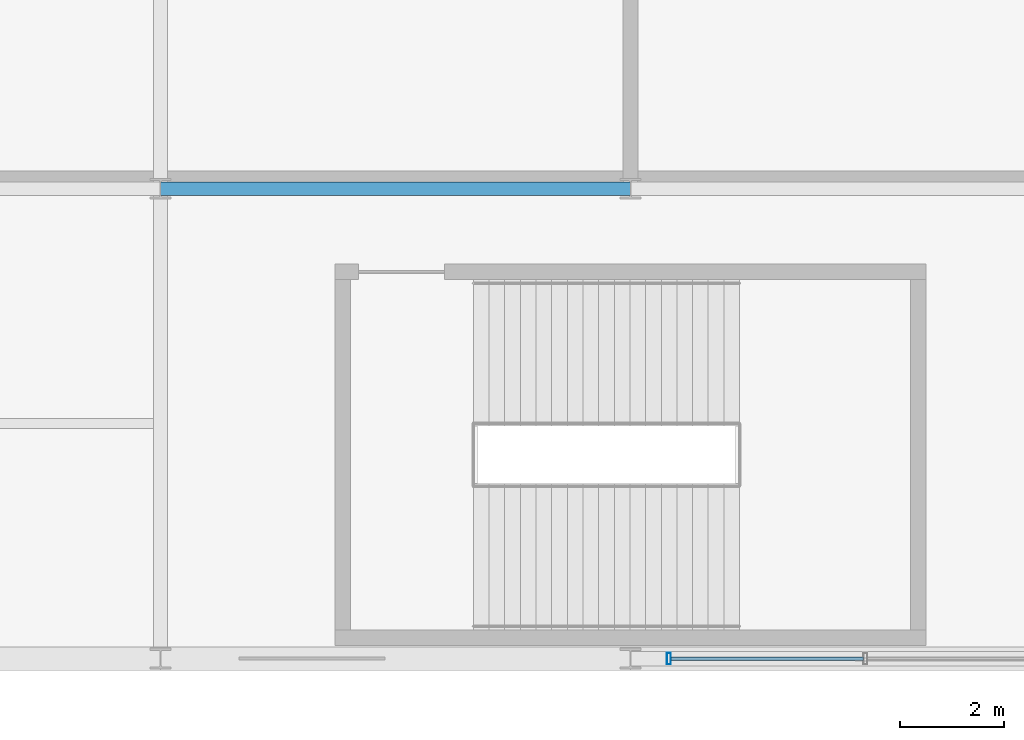
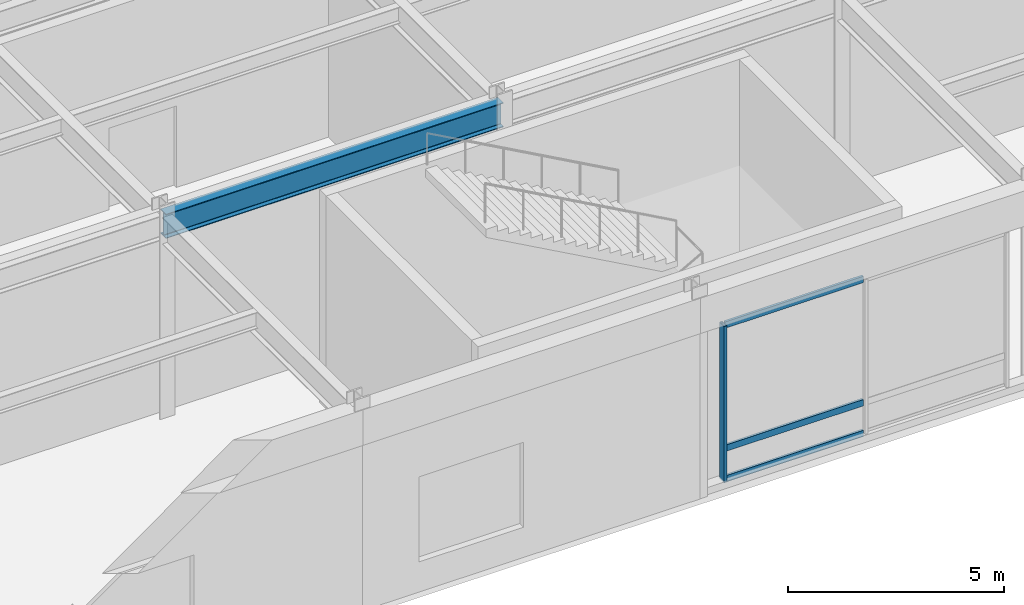
# One storey, part 36 of 105: 4 members, 1 beam, 1 element without a shape of its own.
"""IFC4 building model written with IfcOpenShell, lengths in metres."""

from ifc_helpers import new_model, si_unit, direction, frame, origin, origin_2d, place, context, subcontext, project, spatial, hollow_rectangle, i_section, extrude, material, material_profile, profile_set, type_object, element, aggregate, save


model = new_model("IFC4")

# Units and contexts
model_context = context("Model", 3, precision=1e-05, world=origin(), true_north=direction((0.0, 1.0)))
body_context = subcontext(model_context, "Body", "Model", "MODEL_VIEW")
ifc_project = project(units=[si_unit("LENGTHUNIT", "METRE"), si_unit("AREAUNIT", "SQUARE_METRE"), si_unit("VOLUMEUNIT", "CUBIC_METRE"), si_unit("PLANEANGLEUNIT", "RADIAN"), si_unit("MASSUNIT", "GRAM", prefix="KILO")], contexts=[model_context])

# Site, building, storey
site_placement = place(None, origin())
site = spatial("IfcSite", under=ifc_project, at=site_placement, CompositionType="ELEMENT")
building_placement = place(site_placement, origin())
building = spatial("IfcBuilding", under=site, at=building_placement, Name="Kaldorvane Square Convention Centre", CompositionType="ELEMENT")
storey_placement = place(building_placement, frame((0.0, 0.0, 6.0)))
storey = spatial("IfcBuildingStorey", under=building, at=storey_placement, Name="L01", CompositionType="ELEMENT", Elevation=6.0)

# Beam
ifc_material_1 = material(Name="Steel ASTM A992 Gr. 50", Category="steel")
ifc_material_profile_1 = material_profile(ifc_material_1, i_section(OverallWidth=0.25439453125, OverallDepth=0.6880950927734375, WebThickness=0.0131072998046875, FlangeThickness=0.0211029052734375, FilletRadius=0.01519775390625, at=origin_2d()), Name="W27X102")
ifc_profile_set_1 = profile_set([ifc_material_profile_1], Name="Steel ASTM A992 Gr. 50")
beam_type = type_object("IfcBeamType", Name="BM-GR-W27X102", PredefinedType="BEAM", material=ifc_profile_set_1)
beam_placement = place(storey_placement, frame((147.0, 9.0, 5.332000732421875), z_axis=(1.0, 0.0, 0.0), x_axis=(0.0, 1.0, 0.0)))
element("IfcBeam", 1, at=beam_placement, inside=storey, type_object=beam_type, Name="Primary Girder (L01)", PredefinedType="BEAM", context=body_context, shape_type="SweptSolid", body=[
    extrude(i_section(OverallWidth=0.25439453125, OverallDepth=0.6880950927734375, WebThickness=0.0131072998046875, FlangeThickness=0.0211029052734375, FilletRadius=0.01519775390625, at=origin_2d()), origin(), (0.0, 0.0, 1.0), 9.0),
])

# Curtain wall, members
ifc_material_2 = material(Name="Anodized Aluminum and Low-E Insulated Glazing", Category="aluminium")
curtain_wall_type = type_object("IfcCurtainWallType", Name="CW-UNI-P60-12", PredefinedType="USERDEFINED", material=ifc_material_2)
curtain_wall_placement = place(storey_placement, origin())
curtain_wall = element("IfcCurtainWall", 2, at=curtain_wall_placement, inside=storey, type_object=curtain_wall_type, Name="Curtain Wall CW-01 (L01)", ObjectType="UNITISED GLAZING", PredefinedType="USERDEFINED")
ifc_material_profile_2 = material_profile(ifc_material_2, hollow_rectangle(XDim=0.0749969482421875, YDim=0.220001220703125, WallThickness=0.003997802734375, at=origin_2d()), Name="CWM-220X75")
ifc_profile_set_2 = profile_set([ifc_material_profile_2], Name="Anodized Aluminum and Low-E Insulated Glazing")
member_type_1 = type_object("IfcMemberType", Name="CW-MUL-220", PredefinedType="MULLION", material=ifc_profile_set_2)
member_1_placement = place(storey_placement, frame((156.7375030517578, 0.0, 0.149993896484375), z_axis=(0.0, 0.0, 1.0), x_axis=(1.0, 0.0, 0.0)))
member_1 = element("IfcMember", 3, at=member_1_placement, type_object=member_type_1, Name="CW-01 mullion 1", PredefinedType="MULLION", context=body_context, shape_type="SweptSolid", body=[
    extrude(hollow_rectangle(XDim=0.0749969482421875, YDim=0.220001220703125, WallThickness=0.003997802734375, at=origin_2d()), origin(), (0.0, 0.0, 1.0), 4.410003662109375),
])
ifc_material_profile_3 = material_profile(ifc_material_2, hollow_rectangle(XDim=0.06500244140625, YDim=0.17999267578125, WallThickness=0.0034942626953125, at=origin_2d()), Name="CWT-180X65")
ifc_profile_set_3 = profile_set([ifc_material_profile_3], Name="Anodized Aluminum and Low-E Insulated Glazing")
member_type_2 = type_object("IfcMemberType", Name="CW-TRN-180", PredefinedType="USERDEFINED", material=ifc_profile_set_3)
member_2_placement = place(storey_placement, frame((156.77499389648438, 0.0, 0.1824951171875), z_axis=(1.0, 0.0, 0.0), x_axis=(0.0, 1.0, 0.0)))
member_2 = element("IfcMember", 4, at=member_2_placement, type_object=member_type_2, Name="CW-01 transom 1.1", ObjectType="TRANSOM", PredefinedType="USERDEFINED", context=body_context, shape_type="SweptSolid", body=[
    extrude(hollow_rectangle(XDim=0.06500244140625, YDim=0.17999267578125, WallThickness=0.0034942626953125, at=origin_2d()), origin(), (0.0, 0.0, 1.0), 3.6875),
])
member_3_placement = place(storey_placement, frame((156.77499389648438, 0.0, 1.0500030517578125), z_axis=(1.0, 0.0, 0.0), x_axis=(0.0, 1.0, 0.0)))
member_3 = element("IfcMember", 5, at=member_3_placement, type_object=member_type_2, Name="CW-01 transom 1.2", ObjectType="TRANSOM", PredefinedType="USERDEFINED", context=body_context, shape_type="SweptSolid", body=[
    extrude(hollow_rectangle(XDim=0.06500244140625, YDim=0.17999267578125, WallThickness=0.0034942626953125, at=origin_2d()), origin(), (0.0, 0.0, 1.0), 3.6875),
])
member_4_placement = place(storey_placement, frame((156.77499389648438, 0.0, 4.527496337890625), z_axis=(1.0, 0.0, 0.0), x_axis=(0.0, 1.0, 0.0)))
member_4 = element("IfcMember", 6, at=member_4_placement, type_object=member_type_2, Name="CW-01 transom 1.3", ObjectType="TRANSOM", PredefinedType="USERDEFINED", context=body_context, shape_type="SweptSolid", body=[
    extrude(hollow_rectangle(XDim=0.06500244140625, YDim=0.17999267578125, WallThickness=0.0034942626953125, at=origin_2d()), origin(), (0.0, 0.0, 1.0), 3.6875),
])
aggregate(curtain_wall, [member_1, member_2, member_3, member_4])

save(model, "model.ifc")
